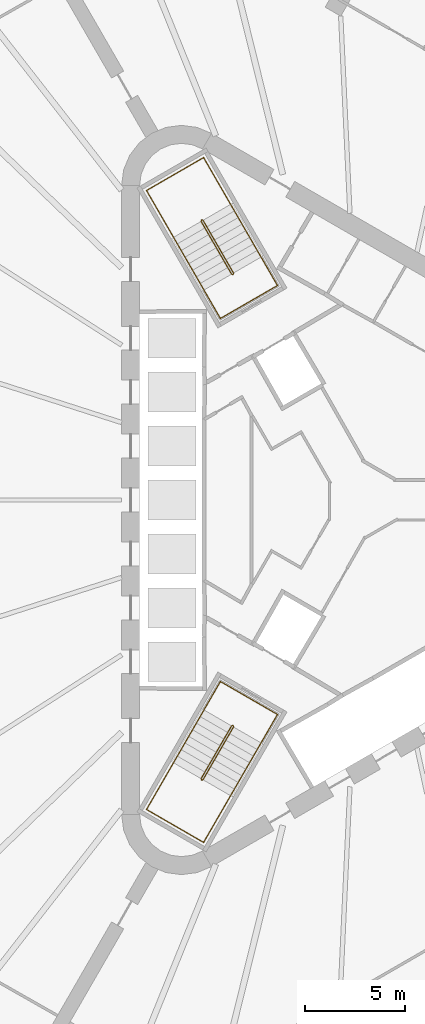
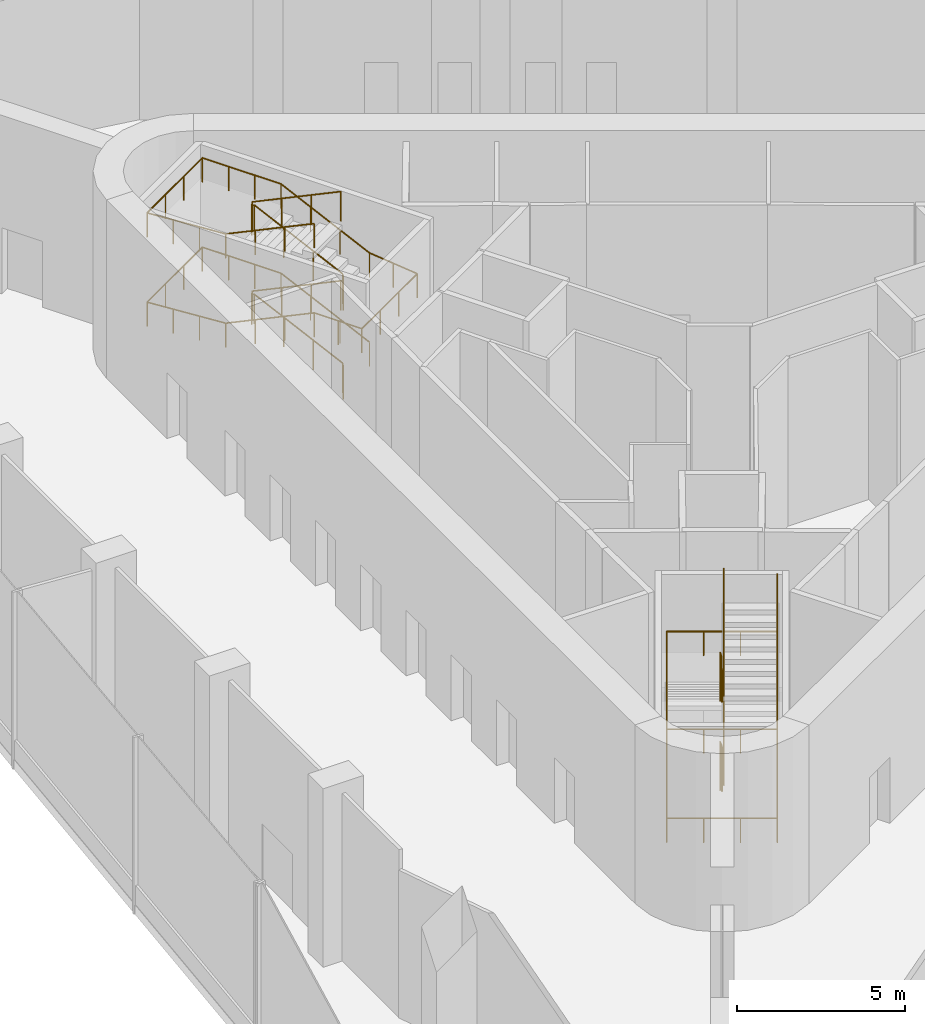
# One storey, part 13 of 15: 4 railings.
"""IFC4 building model written with IfcOpenShell, lengths in metres."""

import ifcopenshell
import ifcopenshell.guid

model = None  # the IFC model being written
_history = None  # IfcOwnerHistory: only IFC2X3 demands one
_inside = {}  # id of a spatial element -> (the spatial element, [elements in it])
_under = {}  # id of a project, library or spatial element -> (it, [spatial elements below it])
_declared = {}  # id of a project -> (the project, [libraries it declares])
_typed = {}  # id of a type object -> (the type object, [elements of that type])
_made_of = {}  # id of a material, layer set ... -> (it, [elements and type objects made of it])


def new_model(schema):
    """Start an empty IFC model of exactly this schema.

    Asked for "IFC4X3", IfcOpenShell would pick the latest addendum, in which some entities
    have other attributes; the version numbers below select the first issue.
    IFC2X3 requires an IfcOwnerHistory on every rooted entity: one is made here for all.
    """
    global model, _history
    if schema == "IFC4X3":
        model = ifcopenshell.file(schema_version=(4, 3, 0, 0))
    else:
        model = ifcopenshell.file(schema=schema)
    _inside.clear()
    _under.clear()
    _declared.clear()
    _typed.clear()
    _made_of.clear()
    _history = None
    if model.schema == "IFC2X3":
        org = make("IfcOrganization", Name="unknown")
        user = make(
            "IfcPersonAndOrganization",
            ThePerson=make("IfcPerson", FamilyName="unknown"),
            TheOrganization=org,
        )
        app = make(
            "IfcApplication",
            ApplicationDeveloper=org,
            Version="unknown",
            ApplicationFullName="unknown",
            ApplicationIdentifier="unknown",
        )
        _history = make(
            "IfcOwnerHistory",
            OwningUser=user,
            OwningApplication=app,
            ChangeAction="ADDED",
            CreationDate=0,
        )
    return model


def make(cls, **values):
    """One entity of the class cls with the attributes given. An attribute that is None is left unset."""
    return model.create_entity(
        cls, **{name: value for name, value in values.items() if value is not None}
    )


def rooted(cls, **values):
    """An entity with a GlobalId (a new one), such as an element, a storey or a relation."""
    return make(cls, GlobalId=ifcopenshell.guid.new(), OwnerHistory=_history, **values)


def si_unit(unit_type, name, prefix=None):
    """IfcSIUnit, for example si_unit("LENGTHUNIT", "METRE", prefix="MILLI")."""
    return make("IfcSIUnit", UnitType=unit_type, Prefix=prefix, Name=name)


def assignment(units):
    """IfcUnitAssignment: the units of a project."""
    return None if units is None else make("IfcUnitAssignment", Units=units)


def point(xyz):
    """IfcCartesianPoint."""
    return None if xyz is None else make("IfcCartesianPoint", Coordinates=xyz)


def direction(xyz):
    """IfcDirection."""
    return None if xyz is None else make("IfcDirection", DirectionRatios=xyz)


def frame(location, z_axis=None, x_axis=None):
    """IfcAxis2Placement3D, a coordinate frame: its origin and axes. An axis left out is left unset."""
    return make(
        "IfcAxis2Placement3D",
        Location=point(location),
        Axis=direction(z_axis),
        RefDirection=direction(x_axis),
    )


def frame_2d(location, x_axis=None):
    """IfcAxis2Placement2D, a coordinate frame in the plane: its origin and x axis."""
    return make(
        "IfcAxis2Placement2D", Location=point(location), RefDirection=direction(x_axis)
    )


def origin():
    """The frame at (0, 0, 0) with its axes left unset."""
    return frame((0.0, 0.0, 0.0))


def origin_2d():
    """The frame at (0, 0) in the plane with its x axis left unset."""
    return frame_2d((0.0, 0.0))


def place(relative_to, where):
    """IfcLocalPlacement: puts the frame where relative to a parent placement (None: the world)."""
    return make(
        "IfcLocalPlacement", PlacementRelTo=relative_to, RelativePlacement=where
    )


def context(
    kind, dimensions, precision=None, world=None, true_north=None, identifier=None
):
    """IfcGeometricRepresentationContext, for example the 3D "Model" context."""
    return make(
        "IfcGeometricRepresentationContext",
        ContextIdentifier=identifier,
        ContextType=kind,
        CoordinateSpaceDimension=dimensions,
        Precision=precision,
        WorldCoordinateSystem=world,
        TrueNorth=true_north,
    )


def subcontext(parent, identifier, kind, view, scale=None):
    """IfcGeometricRepresentationSubContext, for example "Body" below "Model"."""
    return make(
        "IfcGeometricRepresentationSubContext",
        ContextIdentifier=identifier,
        ContextType=kind,
        ParentContext=parent,
        TargetScale=scale,
        TargetView=view,
    )


def project(units=None, contexts=None):
    """IfcProject with its units and contexts."""
    return rooted(
        "IfcProject",
        Name="project",
        RepresentationContexts=contexts,
        UnitsInContext=assignment(units),
    )


def spatial(cls, under=None, at=None, **own):
    """A site, building, storey or space (cls), placed at a placement, below another one or the project."""
    s = rooted(cls, ObjectPlacement=at, **own)
    if under is not None:
        _under.setdefault(under.id(), (under, []))[1].append(s)
    return s


def profile(cls, at=None, kind="AREA", **sizes):
    """A parametric profile (cls). Its sizes go by their IFC names, for example OverallWidth=200.0."""
    return make(cls, ProfileType=kind, Position=at, **sizes)


def circle(**sizes):
    """IfcCircleProfileDef."""
    return profile("IfcCircleProfileDef", **sizes)


def extrude(swept, where, along, depth):
    """IfcExtrudedAreaSolid: the profile swept, set in the frame where, extruded along a direction by depth."""
    return make(
        "IfcExtrudedAreaSolid",
        SweptArea=swept,
        Position=where,
        ExtrudedDirection=direction(along),
        Depth=depth,
    )


def shape(context_of_items, identifier, shape_type, items):
    """IfcShapeRepresentation: the items that make up one representation, for example the "Body"."""
    return make(
        "IfcShapeRepresentation",
        ContextOfItems=context_of_items,
        RepresentationIdentifier=identifier,
        RepresentationType=shape_type,
        Items=items,
    )


def material(Name=None, Category=None):
    """IfcMaterial."""
    return make("IfcMaterial", Name=Name, Category=Category)


def made_of(thing, what):
    """Note that an element or type object is made of a material, layer set ...; save() writes the relation."""
    if what is not None:
        _made_of.setdefault(what.id(), (what, []))[1].append(thing)
    return thing


def type_object(cls, material=None, **own):
    """A type object (cls), such as IfcWallType, which elements share."""
    return made_of(rooted(cls, **own), material)


def element(
    cls,
    number,
    at=None,
    inside=None,
    cuts=None,
    type_object=None,
    material=None,
    context=None,
    identifier="Body",
    shape_type=None,
    held_by="IfcProductDefinitionShape",
    body=None,
    shapes=None,
    **own,
):
    """One element of the class cls, such as IfcWall. Its Tag is "e" and its number.

    at: its placement. inside: the storey or other place that contains it. cuts: it is an
    opening in that element (IfcRelVoidsElement). A single representation is given by context,
    identifier, shape_type and body (its items); several are given by shapes. held_by: the class
    of the entity that holds the representations. save() writes the other relations.
    """
    e = rooted(cls, Tag="e%d" % number, ObjectPlacement=at, **own)
    if body is not None:
        shapes = [shape(context, identifier, shape_type, body)]
    if shapes is not None:
        e.Representation = make(held_by, Representations=shapes)
    if inside is not None:
        _inside.setdefault(inside.id(), (inside, []))[1].append(e)
    if cuts is not None:
        rooted(
            "IfcRelVoidsElement", RelatingBuildingElement=cuts, RelatedOpeningElement=e
        )
    if type_object is not None:
        _typed.setdefault(type_object.id(), (type_object, []))[1].append(e)
    return made_of(e, material)


def aggregate(whole, parts):
    """IfcRelAggregates: a whole, such as a stair, and the parts it consists of."""
    return rooted("IfcRelAggregates", RelatingObject=whole, RelatedObjects=parts)


def save(model, path):
    """Write the relations noted so far, then the file.

    IfcRelAggregates (storeys below a building ...), IfcRelContainedInSpatialStructure (elements
    in a storey), IfcRelDefinesByType, IfcRelAssociatesMaterial and IfcRelDeclares: one each for
    every whole, place, type object, material and project.
    """
    for whole, parts in _under.values():
        aggregate(whole, parts)
    for where, things in _inside.values():
        rooted(
            "IfcRelContainedInSpatialStructure",
            RelatedElements=things,
            RelatingStructure=where,
        )
    for kind, things in _typed.values():
        rooted("IfcRelDefinesByType", RelatedObjects=things, RelatingType=kind)
    for what, things in _made_of.values():
        rooted("IfcRelAssociatesMaterial", RelatedObjects=things, RelatingMaterial=what)
    for by, libraries in _declared.values():
        rooted("IfcRelDeclares", RelatingContext=by, RelatedDefinitions=libraries)
    model.write(path)


model = new_model("IFC4")

# Units and contexts
model_context = context("Model", 3, precision=1e-05, world=origin(), true_north=direction((0.0, 1.0)))
body_context = subcontext(model_context, "Body", "Model", "MODEL_VIEW")
ifc_project = project(units=[si_unit("LENGTHUNIT", "METRE"), si_unit("AREAUNIT", "SQUARE_METRE"), si_unit("VOLUMEUNIT", "CUBIC_METRE"), si_unit("PLANEANGLEUNIT", "RADIAN"), si_unit("MASSUNIT", "GRAM", prefix="KILO")], contexts=[model_context])

# Site, building, storey
site_placement = place(None, origin())
site = spatial("IfcSite", under=ifc_project, at=site_placement, CompositionType="ELEMENT")
building_placement = place(site_placement, origin())
building = spatial("IfcBuilding", under=site, at=building_placement, Name="Tanit Gate Tower", CompositionType="ELEMENT")
storey_placement = place(building_placement, frame((0.0, 0.0, 277.199951171875)))
storey = spatial("IfcBuildingStorey", under=building, at=storey_placement, Name="L63", CompositionType="ELEMENT", Elevation=277.199951171875)

# Railings
ifc_material_1 = material(Name="Stainless steel balustrade", Category="steel")
railing_type_1 = type_object("IfcRailingType", Name="INT-STAIR-GUARD", PredefinedType="GUARDRAIL", material=ifc_material_1)
railing_1_placement = place(storey_placement, frame((-6.527099609375, 11.29345703125, 0.0)))
element("IfcRailing", 1, at=railing_1_placement, inside=storey, type_object=railing_type_1, Name="L63 S2 stair guard 1", PredefinedType="GUARDRAIL", context=body_context, shape_type="SweptSolid", body=[
    extrude(circle(Radius=0.02392578125, at=origin_2d()), frame((0.0, 0.0, 1.076171875), z_axis=(0.868243142124, 0.496138938357, 0.0), x_axis=(-0.496138938357, 0.868243142124, 0.0)), (0.0, 0.0, 1.0), 0.01171875),
    extrude(circle(Radius=0.02392578125, at=origin_2d()), frame((0.01025390625, 0.005859375, 1.076171875), z_axis=(0.094369489949, 0.352312762477, 0.931112300833), x_axis=(-0.965948051503, 0.258736085224, 0.0)), (0.0, 0.0, 1.0), 0.194091796875),
    extrude(circle(Radius=0.02392578125, at=origin_2d()), frame((0.028564453125, 0.07421875, 1.2568359375), z_axis=(-0.451890160261, 0.782649155065, 0.42808361699), x_axis=(-0.866012246495, -0.500022788402, 0.0)), (0.0, 0.0, 1.0), 3.3740234375),
    extrude(circle(Radius=0.02392578125, at=origin_2d()), frame((-1.49609375, 2.71484375, 2.701171875), z_axis=(-0.965715946433, 0.259601060869, 0.0), x_axis=(-0.259601060869, -0.965715946433, 0.0)), (0.0, 0.0, 1.0), 0.070556640625),
    extrude(circle(Radius=0.02392578125, at=origin_2d()), frame((-1.564208984375, 2.733154296875, 2.701171875), z_axis=(-0.873197702015, -0.487366159264, 0.0), x_axis=(0.487366159264, -0.873197702015, 0.0)), (0.0, 0.0, 1.0), 0.011962890625),
    extrude(circle(Radius=0.02392578125, at=origin_2d()), frame((-1.57470703125, 2.727294921875, 2.701171875), z_axis=(-0.094369489949, -0.352312762477, 0.931112300833), x_axis=(0.965948051503, -0.258736085224, 0.0)), (0.0, 0.0, 1.0), 0.194091796875),
    extrude(circle(Radius=0.02392578125, at=origin_2d()), frame((-1.593017578125, 2.658935546875, 2.8818359375), z_axis=(0.451890160261, -0.782649155065, 0.42808361699), x_axis=(0.866012246495, 0.500022788402, 0.0)), (0.0, 0.0, 1.0), 3.3740234375),
    extrude(circle(Radius=0.02392578125, at=origin_2d()), frame((-0.068359375, 0.018310546875, 4.326171875), z_axis=(0.965948051503, -0.258736085224, 0.0), x_axis=(0.258736085224, 0.965948051503, 0.0)), (0.0, 0.0, 1.0), 0.07080078125),
    extrude(circle(Radius=0.02392578125, at=origin_2d()), frame((0.0, 0.0, 4.326171875), z_axis=(0.868243142124, 0.496138938357, 0.0), x_axis=(-0.496138938357, 0.868243142124, 0.0)), (0.0, 0.0, 1.0), 0.01171875),
    extrude(circle(Radius=0.02392578125, at=origin_2d()), frame((0.01025390625, 0.005859375, 4.326171875), z_axis=(0.094369489949, 0.352312762477, 0.931112300833), x_axis=(-0.965948051503, 0.258736085224, 0.0)), (0.0, 0.0, 1.0), 0.194091796875),
    extrude(circle(Radius=0.02392578125, at=origin_2d()), frame((0.028564453125, 0.07421875, 4.5068359375), z_axis=(-0.451890160261, 0.782649155065, 0.42808361699), x_axis=(-0.866012246495, -0.500022788402, 0.0)), (0.0, 0.0, 1.0), 3.3740234375),
    extrude(circle(Radius=0.02392578125, at=origin_2d()), frame((-1.49609375, 2.71484375, 5.951171875), z_axis=(-0.965715946433, 0.259601060869, 0.0), x_axis=(-0.259601060869, -0.965715946433, 0.0)), (0.0, 0.0, 1.0), 0.070556640625),
    extrude(circle(Radius=0.02392578125, at=origin_2d()), frame((-1.564208984375, 2.733154296875, 5.951171875), z_axis=(-0.873197702015, -0.487366159264, 0.0), x_axis=(0.487366159264, -0.873197702015, 0.0)), (0.0, 0.0, 1.0), 0.011962890625),
    extrude(circle(Radius=0.02392578125, at=origin_2d()), frame((-1.57470703125, 2.727294921875, 5.951171875), z_axis=(-0.094369489949, -0.352312762477, 0.931112300833), x_axis=(0.965948051503, -0.258736085224, 0.0)), (0.0, 0.0, 1.0), 0.194091796875),
    extrude(circle(Radius=0.02392578125, at=origin_2d()), frame((-1.593017578125, 2.658935546875, 6.1318359375), z_axis=(0.451890160261, -0.782649155065, 0.42808361699), x_axis=(0.866012246495, 0.500022788402, 0.0)), (0.0, 0.0, 1.0), 3.3740234375),
    extrude(circle(Radius=0.02099609375, at=origin_2d()), origin(), (0.0, 0.0, 1.0), 1.052001953125),
    extrude(circle(Radius=0.02099609375, at=origin_2d()), frame((0.01025390625, 0.005859375, 0.0)), (0.0, 0.0, 1.0), 1.052001953125),
    extrude(circle(Radius=0.02099609375, at=origin_2d()), frame((0.028564453125, 0.07421875, 0.1806640625)), (0.0, 0.0, 1.0), 1.052001953125),
    extrude(circle(Radius=0.02099609375, at=origin_2d()), frame((-0.479736328125, 0.954345703125, 0.662109375)), (0.0, 0.0, 1.0), 1.052001953125),
    extrude(circle(Radius=0.02099609375, at=origin_2d()), frame((-0.98779296875, 1.834716796875, 1.1435546875)), (0.0, 0.0, 1.0), 1.052001953125),
    extrude(circle(Radius=0.02099609375, at=origin_2d()), frame((-1.49609375, 2.71484375, 1.625)), (0.0, 0.0, 1.0), 1.052001953125),
    extrude(circle(Radius=0.02099609375, at=origin_2d()), frame((-1.564208984375, 2.733154296875, 1.625)), (0.0, 0.0, 1.0), 1.052001953125),
    extrude(circle(Radius=0.02099609375, at=origin_2d()), frame((-1.57470703125, 2.727294921875, 1.625)), (0.0, 0.0, 1.0), 1.052001953125),
    extrude(circle(Radius=0.02099609375, at=origin_2d()), frame((-1.593017578125, 2.658935546875, 1.8056640625)), (0.0, 0.0, 1.0), 1.052001953125),
    extrude(circle(Radius=0.02099609375, at=origin_2d()), frame((-1.084716796875, 1.77880859375, 2.287109375)), (0.0, 0.0, 1.0), 1.052001953125),
    extrude(circle(Radius=0.02099609375, at=origin_2d()), frame((-0.57666015625, 0.8984375, 2.7685546875)), (0.0, 0.0, 1.0), 1.052001953125),
    extrude(circle(Radius=0.02099609375, at=origin_2d()), frame((-0.068359375, 0.018310546875, 3.25)), (0.0, 0.0, 1.0), 1.052001953125),
    extrude(circle(Radius=0.02099609375, at=origin_2d()), frame((0.0, 0.0, 3.25)), (0.0, 0.0, 1.0), 1.052001953125),
    extrude(circle(Radius=0.02099609375, at=origin_2d()), frame((0.01025390625, 0.005859375, 3.25)), (0.0, 0.0, 1.0), 1.052001953125),
    extrude(circle(Radius=0.02099609375, at=origin_2d()), frame((0.028564453125, 0.07421875, 3.4306640625)), (0.0, 0.0, 1.0), 1.052001953125),
    extrude(circle(Radius=0.02099609375, at=origin_2d()), frame((-0.479736328125, 0.954345703125, 3.912109375)), (0.0, 0.0, 1.0), 1.052001953125),
    extrude(circle(Radius=0.02099609375, at=origin_2d()), frame((-0.98779296875, 1.834716796875, 4.3935546875)), (0.0, 0.0, 1.0), 1.052001953125),
    extrude(circle(Radius=0.02099609375, at=origin_2d()), frame((-1.49609375, 2.71484375, 4.875)), (0.0, 0.0, 1.0), 1.052001953125),
    extrude(circle(Radius=0.02099609375, at=origin_2d()), frame((-1.564208984375, 2.733154296875, 4.875)), (0.0, 0.0, 1.0), 1.052001953125),
    extrude(circle(Radius=0.02099609375, at=origin_2d()), frame((-1.57470703125, 2.727294921875, 4.875)), (0.0, 0.0, 1.0), 1.052001953125),
    extrude(circle(Radius=0.02099609375, at=origin_2d()), frame((-1.593017578125, 2.658935546875, 5.0556640625)), (0.0, 0.0, 1.0), 1.052001953125),
    extrude(circle(Radius=0.02099609375, at=origin_2d()), frame((-1.084716796875, 1.77880859375, 5.537109375)), (0.0, 0.0, 1.0), 1.052001953125),
    extrude(circle(Radius=0.02099609375, at=origin_2d()), frame((-0.57666015625, 0.8984375, 6.0185546875)), (0.0, 0.0, 1.0), 1.052001953125),
    extrude(circle(Radius=0.02099609375, at=origin_2d()), frame((-0.068359375, 0.018310546875, 6.5)), (0.0, 0.0, 1.0), 1.052001953125),
])
railing_2_placement = place(storey_placement, frame((-6.51806640625, -11.2998046875, 0.0)))
element("IfcRailing", 2, at=railing_2_placement, inside=storey, type_object=railing_type_1, Name="L63 S3 stair guard 1", PredefinedType="GUARDRAIL", context=body_context, shape_type="SweptSolid", body=[
    extrude(circle(Radius=0.02392578125, at=origin_2d()), frame((0.0, 0.0, 1.076171875), z_axis=(-0.874157276122, 0.485642931179, 0.0), x_axis=(-0.485642931179, -0.874157276122, 0.0)), (0.0, 0.0, 1.0), 0.010009765625),
    extrude(circle(Radius=0.02392578125, at=origin_2d()), frame((-0.0087890625, 0.0048828125, 1.076171875), z_axis=(-0.352354325027, -0.093122214471, 0.931222144714), x_axis=(0.255512919477, -0.966805641264, 0.0)), (0.0, 0.0, 1.0), 0.194091796875),
    extrude(circle(Radius=0.02392578125, at=origin_2d()), frame((-0.0771484375, -0.01318359375, 1.2568359375), z_axis=(-0.451883759621, -0.782768554797, 0.42787201055), x_axis=(0.866048339477, -0.499960272111, 0.0)), (0.0, 0.0, 1.0), 3.375732421875),
    extrude(circle(Radius=0.02392578125, at=origin_2d()), frame((-1.6025390625, -2.655517578125, 2.701171875), z_axis=(0.258736085224, -0.965948051503, 0.0), x_axis=(0.965948051503, 0.258736085224, 0.0)), (0.0, 0.0, 1.0), 0.07080078125),
    extrude(circle(Radius=0.02392578125, at=origin_2d()), frame((-1.584228515625, -2.723876953125, 2.701171875), z_axis=(0.868243142124, -0.496138938357, 0.0), x_axis=(0.496138938357, 0.868243142124, 0.0)), (0.0, 0.0, 1.0), 0.009765625),
    extrude(circle(Radius=0.02392578125, at=origin_2d()), frame((-1.57568359375, -2.728759765625, 2.701171875), z_axis=(0.352312762477, 0.094369489949, 0.931112300833), x_axis=(-0.258736085224, 0.965948051503, 0.0)), (0.0, 0.0, 1.0), 0.194091796875),
    extrude(circle(Radius=0.02392578125, at=origin_2d()), frame((-1.50732421875, -2.71044921875, 2.8818359375), z_axis=(0.451966897993, 0.782714957606, 0.427882248124), x_axis=(-0.865993683553, 0.500054937028, 0.0)), (0.0, 0.0, 1.0), 3.37548828125),
    extrude(circle(Radius=0.02392578125, at=origin_2d()), frame((0.018310546875, -0.068359375, 4.326171875), z_axis=(-0.258736085224, 0.965948051503, 0.0), x_axis=(-0.965948051503, -0.258736085224, 0.0)), (0.0, 0.0, 1.0), 0.07080078125),
    extrude(circle(Radius=0.02392578125, at=origin_2d()), frame((0.0, 0.0, 4.326171875), z_axis=(-0.874157276122, 0.485642931179, 0.0), x_axis=(-0.485642931179, -0.874157276122, 0.0)), (0.0, 0.0, 1.0), 0.010009765625),
    extrude(circle(Radius=0.02392578125, at=origin_2d()), frame((-0.0087890625, 0.0048828125, 4.326171875), z_axis=(-0.352354325027, -0.093122214471, 0.931222144714), x_axis=(0.255512919477, -0.966805641264, 0.0)), (0.0, 0.0, 1.0), 0.194091796875),
    extrude(circle(Radius=0.02392578125, at=origin_2d()), frame((-0.0771484375, -0.01318359375, 4.5068359375), z_axis=(-0.451883759621, -0.782768554797, 0.42787201055), x_axis=(0.866048339477, -0.499960272111, 0.0)), (0.0, 0.0, 1.0), 3.375732421875),
    extrude(circle(Radius=0.02392578125, at=origin_2d()), frame((-1.6025390625, -2.655517578125, 5.951171875), z_axis=(0.258736085224, -0.965948051503, 0.0), x_axis=(0.965948051503, 0.258736085224, 0.0)), (0.0, 0.0, 1.0), 0.07080078125),
    extrude(circle(Radius=0.02392578125, at=origin_2d()), frame((-1.584228515625, -2.723876953125, 5.951171875), z_axis=(0.868243142124, -0.496138938357, 0.0), x_axis=(0.496138938357, 0.868243142124, 0.0)), (0.0, 0.0, 1.0), 0.009765625),
    extrude(circle(Radius=0.02392578125, at=origin_2d()), frame((-1.57568359375, -2.728759765625, 5.951171875), z_axis=(0.352312762477, 0.094369489949, 0.931112300833), x_axis=(-0.258736085224, 0.965948051503, 0.0)), (0.0, 0.0, 1.0), 0.194091796875),
    extrude(circle(Radius=0.02392578125, at=origin_2d()), frame((-1.50732421875, -2.71044921875, 6.1318359375), z_axis=(0.451966897993, 0.782714957606, 0.427882248124), x_axis=(-0.865993683553, 0.500054937028, 0.0)), (0.0, 0.0, 1.0), 3.37548828125),
    extrude(circle(Radius=0.02099609375, at=origin_2d()), origin(), (0.0, 0.0, 1.0), 1.052001953125),
    extrude(circle(Radius=0.02099609375, at=origin_2d()), frame((-0.0087890625, 0.0048828125, 0.0)), (0.0, 0.0, 1.0), 1.052001953125),
    extrude(circle(Radius=0.02099609375, at=origin_2d()), frame((-0.0771484375, -0.01318359375, 0.1806640625)), (0.0, 0.0, 1.0), 1.052001953125),
    extrude(circle(Radius=0.02099609375, at=origin_2d()), frame((-0.585693359375, -0.89404296875, 0.662109375)), (0.0, 0.0, 1.0), 1.052001953125),
    extrude(circle(Radius=0.02099609375, at=origin_2d()), frame((-1.093994140625, -1.774658203125, 1.1435546875)), (0.0, 0.0, 1.0), 1.052001953125),
    extrude(circle(Radius=0.02099609375, at=origin_2d()), frame((-1.6025390625, -2.655517578125, 1.625)), (0.0, 0.0, 1.0), 1.052001953125),
    extrude(circle(Radius=0.02099609375, at=origin_2d()), frame((-1.584228515625, -2.723876953125, 1.625)), (0.0, 0.0, 1.0), 1.052001953125),
    extrude(circle(Radius=0.02099609375, at=origin_2d()), frame((-1.57568359375, -2.728759765625, 1.625)), (0.0, 0.0, 1.0), 1.052001953125),
    extrude(circle(Radius=0.02099609375, at=origin_2d()), frame((-1.50732421875, -2.71044921875, 1.8056640625)), (0.0, 0.0, 1.0), 1.052001953125),
    extrude(circle(Radius=0.02099609375, at=origin_2d()), frame((-0.998779296875, -1.829833984375, 2.287109375)), (0.0, 0.0, 1.0), 1.052001953125),
    extrude(circle(Radius=0.02099609375, at=origin_2d()), frame((-0.490234375, -0.948974609375, 2.7685546875)), (0.0, 0.0, 1.0), 1.052001953125),
    extrude(circle(Radius=0.02099609375, at=origin_2d()), frame((0.018310546875, -0.068359375, 3.25)), (0.0, 0.0, 1.0), 1.052001953125),
    extrude(circle(Radius=0.02099609375, at=origin_2d()), frame((0.0, 0.0, 3.25)), (0.0, 0.0, 1.0), 1.052001953125),
    extrude(circle(Radius=0.02099609375, at=origin_2d()), frame((-0.0087890625, 0.0048828125, 3.25)), (0.0, 0.0, 1.0), 1.052001953125),
    extrude(circle(Radius=0.02099609375, at=origin_2d()), frame((-0.0771484375, -0.01318359375, 3.4306640625)), (0.0, 0.0, 1.0), 1.052001953125),
    extrude(circle(Radius=0.02099609375, at=origin_2d()), frame((-0.585693359375, -0.89404296875, 3.912109375)), (0.0, 0.0, 1.0), 1.052001953125),
    extrude(circle(Radius=0.02099609375, at=origin_2d()), frame((-1.093994140625, -1.774658203125, 4.3935546875)), (0.0, 0.0, 1.0), 1.052001953125),
    extrude(circle(Radius=0.02099609375, at=origin_2d()), frame((-1.6025390625, -2.655517578125, 4.875)), (0.0, 0.0, 1.0), 1.052001953125),
    extrude(circle(Radius=0.02099609375, at=origin_2d()), frame((-1.584228515625, -2.723876953125, 4.875)), (0.0, 0.0, 1.0), 1.052001953125),
    extrude(circle(Radius=0.02099609375, at=origin_2d()), frame((-1.57568359375, -2.728759765625, 4.875)), (0.0, 0.0, 1.0), 1.052001953125),
    extrude(circle(Radius=0.02099609375, at=origin_2d()), frame((-1.50732421875, -2.71044921875, 5.0556640625)), (0.0, 0.0, 1.0), 1.052001953125),
    extrude(circle(Radius=0.02099609375, at=origin_2d()), frame((-0.998779296875, -1.829833984375, 5.537109375)), (0.0, 0.0, 1.0), 1.052001953125),
    extrude(circle(Radius=0.02099609375, at=origin_2d()), frame((-0.490234375, -0.948974609375, 6.0185546875)), (0.0, 0.0, 1.0), 1.052001953125),
    extrude(circle(Radius=0.02099609375, at=origin_2d()), frame((0.018310546875, -0.068359375, 6.5)), (0.0, 0.0, 1.0), 1.052001953125),
])
ifc_material_2 = material(Name="Stainless steel handrail", Category="steel")
railing_type_2 = type_object("IfcRailingType", Name="INT-STAIR-HANDRAIL", PredefinedType="HANDRAIL", material=ifc_material_2)
railing_3_placement = place(storey_placement, frame((-5.1181640625, 12.164794921875, 0.1806640625)))
element("IfcRailing", 3, at=railing_3_placement, inside=storey, type_object=railing_type_2, Name="L63 S2 stair handrail 1", PredefinedType="HANDRAIL", context=body_context, shape_type="SweptSolid", body=[
    extrude(circle(Radius=0.02392578125, at=origin_2d()), frame((0.0, 0.0, 0.8759765625), z_axis=(-0.45183257344, 0.782674746048, 0.428097614425), x_axis=(-0.866046917185, -0.499962735845, 0.0)), (0.0, 0.0, 1.0), 3.373779296875),
    extrude(circle(Radius=0.02392578125, at=origin_2d()), frame((-1.5244140625, 2.640625, 2.3203125), z_axis=(-0.500019123664, 0.86601436245, 0.0), x_axis=(-0.86601436245, -0.500019123664, 0.0)), (0.0, 0.0, 1.0), 2.70703125),
    extrude(circle(Radius=0.02392578125, at=origin_2d()), frame((-2.8779296875, 4.98486328125, 2.3203125), z_axis=(-0.866008176907, -0.50002983664, 0.0), x_axis=(0.50002983664, -0.866008176907, 0.0)), (0.0, 0.0, 1.0), 3.300048828125),
    extrude(circle(Radius=0.02392578125, at=origin_2d()), frame((-5.73583984375, 3.334716796875, 2.3203125), z_axis=(0.498947983057, -0.864069189274, 0.066598396007), x_axis=(0.865991810323, 0.500058181068, 0.0)), (0.0, 0.0, 1.0), 2.712646484375),
    extrude(circle(Radius=0.02392578125, at=origin_2d()), frame((-4.38232421875, 0.99072265625, 2.5009765625), z_axis=(0.451864569475, -0.782677189432, 0.428059374381), x_axis=(0.866032263162, 0.499988119021, 0.0)), (0.0, 0.0, 1.0), 3.374267578125),
    extrude(circle(Radius=0.02392578125, at=origin_2d()), frame((-2.857666015625, -1.650146484375, 3.9453125), z_axis=(0.499941024108, -0.866059450854, 0.0), x_axis=(0.866059450854, 0.499941024108, 0.0)), (0.0, 0.0, 1.0), 1.643798828125),
    extrude(circle(Radius=0.02392578125, at=origin_2d()), frame((-2.035888671875, -3.07373046875, 3.9453125), z_axis=(0.866040211805, 0.499974350878, 0.0), x_axis=(-0.499974350878, 0.866040211805, 0.0)), (0.0, 0.0, 1.0), 3.300048828125),
    extrude(circle(Radius=0.02392578125, at=origin_2d()), frame((0.822021484375, -1.423828125, 3.9453125), z_axis=(-0.496996431912, 0.860850368552, 0.109229985036), x_axis=(-0.866032269107, -0.499988108725, 0.0)), (0.0, 0.0, 1.0), 1.654052734375),
    extrude(circle(Radius=0.02392578125, at=origin_2d()), frame((0.0, 0.0, 4.1259765625), z_axis=(-0.45183257344, 0.782674746048, 0.428097614425), x_axis=(-0.866046917185, -0.499962735845, 0.0)), (0.0, 0.0, 1.0), 3.373779296875),
    extrude(circle(Radius=0.02392578125, at=origin_2d()), frame((-1.5244140625, 2.640625, 5.5703125), z_axis=(-0.500019123664, 0.86601436245, 0.0), x_axis=(-0.86601436245, -0.500019123664, 0.0)), (0.0, 0.0, 1.0), 2.70703125),
    extrude(circle(Radius=0.02392578125, at=origin_2d()), frame((-2.8779296875, 4.98486328125, 5.5703125), z_axis=(-0.866008176907, -0.50002983664, 0.0), x_axis=(0.50002983664, -0.866008176907, 0.0)), (0.0, 0.0, 1.0), 3.300048828125),
    extrude(circle(Radius=0.02392578125, at=origin_2d()), frame((-5.73583984375, 3.334716796875, 5.5703125), z_axis=(0.498947983057, -0.864069189274, 0.066598396007), x_axis=(0.865991810323, 0.500058181068, 0.0)), (0.0, 0.0, 1.0), 2.712646484375),
    extrude(circle(Radius=0.02392578125, at=origin_2d()), frame((-4.38232421875, 0.99072265625, 5.7509765625), z_axis=(0.451864569475, -0.782677189432, 0.428059374381), x_axis=(0.866032263162, 0.499988119021, 0.0)), (0.0, 0.0, 1.0), 3.374267578125),
    extrude(circle(Radius=0.02099609375, at=origin_2d()), origin(), (0.0, 0.0, 1.0), 0.851806640625),
    extrude(circle(Radius=0.02099609375, at=origin_2d()), frame((-0.508056640625, 0.880126953125, 0.4814453125)), (0.0, 0.0, 1.0), 0.851806640625),
    extrude(circle(Radius=0.02099609375, at=origin_2d()), frame((-1.016357421875, 1.760498046875, 0.962890625)), (0.0, 0.0, 1.0), 0.851806640625),
    extrude(circle(Radius=0.02099609375, at=origin_2d()), frame((-1.5244140625, 2.640625, 1.4443359375)), (0.0, 0.0, 1.0), 0.851806640625),
    extrude(circle(Radius=0.02099609375, at=origin_2d()), frame((-1.9755859375, 3.422119140625, 1.4443359375)), (0.0, 0.0, 1.0), 0.851806640625),
    extrude(circle(Radius=0.02099609375, at=origin_2d()), frame((-2.4267578125, 4.203369140625, 1.4443359375)), (0.0, 0.0, 1.0), 0.851806640625),
    extrude(circle(Radius=0.02099609375, at=origin_2d()), frame((-2.8779296875, 4.98486328125, 1.4443359375)), (0.0, 0.0, 1.0), 0.851806640625),
    extrude(circle(Radius=0.02099609375, at=origin_2d()), frame((-3.83056640625, 4.434814453125, 1.4443359375)), (0.0, 0.0, 1.0), 0.851806640625),
    extrude(circle(Radius=0.02099609375, at=origin_2d()), frame((-4.783203125, 3.884765625, 1.4443359375)), (0.0, 0.0, 1.0), 0.851806640625),
    extrude(circle(Radius=0.02099609375, at=origin_2d()), frame((-5.73583984375, 3.334716796875, 1.4443359375)), (0.0, 0.0, 1.0), 0.851806640625),
    extrude(circle(Radius=0.02099609375, at=origin_2d()), frame((-5.28466796875, 2.553466796875, 1.504638671875)), (0.0, 0.0, 1.0), 0.851806640625),
    extrude(circle(Radius=0.02099609375, at=origin_2d()), frame((-4.83349609375, 1.77197265625, 1.564697265625)), (0.0, 0.0, 1.0), 0.851806640625),
    extrude(circle(Radius=0.02099609375, at=origin_2d()), frame((-4.38232421875, 0.99072265625, 1.625)), (0.0, 0.0, 1.0), 0.851806640625),
    extrude(circle(Radius=0.02099609375, at=origin_2d()), frame((-3.8740234375, 0.1103515625, 2.1064453125)), (0.0, 0.0, 1.0), 0.851806640625),
    extrude(circle(Radius=0.02099609375, at=origin_2d()), frame((-3.365966796875, -0.769775390625, 2.587890625)), (0.0, 0.0, 1.0), 0.851806640625),
    extrude(circle(Radius=0.02099609375, at=origin_2d()), frame((-2.857666015625, -1.650146484375, 3.0693359375)), (0.0, 0.0, 1.0), 0.851806640625),
    extrude(circle(Radius=0.02099609375, at=origin_2d()), frame((-2.44677734375, -2.36181640625, 3.0693359375)), (0.0, 0.0, 1.0), 0.851806640625),
    extrude(circle(Radius=0.02099609375, at=origin_2d()), frame((-2.035888671875, -3.07373046875, 3.0693359375)), (0.0, 0.0, 1.0), 0.851806640625),
    extrude(circle(Radius=0.02099609375, at=origin_2d()), frame((-1.083251953125, -2.523681640625, 3.0693359375)), (0.0, 0.0, 1.0), 0.851806640625),
    extrude(circle(Radius=0.02099609375, at=origin_2d()), frame((-0.130615234375, -1.973876953125, 3.0693359375)), (0.0, 0.0, 1.0), 0.851806640625),
    extrude(circle(Radius=0.02099609375, at=origin_2d()), frame((0.822021484375, -1.423828125, 3.0693359375)), (0.0, 0.0, 1.0), 0.851806640625),
    extrude(circle(Radius=0.02099609375, at=origin_2d()), frame((0.4111328125, -0.7119140625, 3.15966796875)), (0.0, 0.0, 1.0), 0.851806640625),
    extrude(circle(Radius=0.02099609375, at=origin_2d()), frame((0.0, 0.0, 3.25)), (0.0, 0.0, 1.0), 0.851806640625),
    extrude(circle(Radius=0.02099609375, at=origin_2d()), frame((-0.508056640625, 0.880126953125, 3.7314453125)), (0.0, 0.0, 1.0), 0.851806640625),
    extrude(circle(Radius=0.02099609375, at=origin_2d()), frame((-1.016357421875, 1.760498046875, 4.212890625)), (0.0, 0.0, 1.0), 0.851806640625),
    extrude(circle(Radius=0.02099609375, at=origin_2d()), frame((-1.5244140625, 2.640625, 4.6943359375)), (0.0, 0.0, 1.0), 0.851806640625),
    extrude(circle(Radius=0.02099609375, at=origin_2d()), frame((-1.9755859375, 3.422119140625, 4.6943359375)), (0.0, 0.0, 1.0), 0.851806640625),
    extrude(circle(Radius=0.02099609375, at=origin_2d()), frame((-2.4267578125, 4.203369140625, 4.6943359375)), (0.0, 0.0, 1.0), 0.851806640625),
    extrude(circle(Radius=0.02099609375, at=origin_2d()), frame((-2.8779296875, 4.98486328125, 4.6943359375)), (0.0, 0.0, 1.0), 0.851806640625),
    extrude(circle(Radius=0.02099609375, at=origin_2d()), frame((-3.83056640625, 4.434814453125, 4.6943359375)), (0.0, 0.0, 1.0), 0.851806640625),
    extrude(circle(Radius=0.02099609375, at=origin_2d()), frame((-4.783203125, 3.884765625, 4.6943359375)), (0.0, 0.0, 1.0), 0.851806640625),
    extrude(circle(Radius=0.02099609375, at=origin_2d()), frame((-5.73583984375, 3.334716796875, 4.6943359375)), (0.0, 0.0, 1.0), 0.851806640625),
    extrude(circle(Radius=0.02099609375, at=origin_2d()), frame((-5.28466796875, 2.553466796875, 4.754638671875)), (0.0, 0.0, 1.0), 0.851806640625),
    extrude(circle(Radius=0.02099609375, at=origin_2d()), frame((-4.83349609375, 1.77197265625, 4.814697265625)), (0.0, 0.0, 1.0), 0.851806640625),
    extrude(circle(Radius=0.02099609375, at=origin_2d()), frame((-4.38232421875, 0.99072265625, 4.875)), (0.0, 0.0, 1.0), 0.851806640625),
    extrude(circle(Radius=0.02099609375, at=origin_2d()), frame((-3.8740234375, 0.1103515625, 5.3564453125)), (0.0, 0.0, 1.0), 0.851806640625),
    extrude(circle(Radius=0.02099609375, at=origin_2d()), frame((-3.365966796875, -0.769775390625, 5.837890625)), (0.0, 0.0, 1.0), 0.851806640625),
    extrude(circle(Radius=0.02099609375, at=origin_2d()), frame((-2.857666015625, -1.650146484375, 6.3193359375)), (0.0, 0.0, 1.0), 0.851806640625),
])
railing_4_placement = place(storey_placement, frame((-7.9765625, -10.515625, 0.1806640625)))
element("IfcRailing", 4, at=railing_4_placement, inside=storey, type_object=railing_type_2, Name="L63 S3 stair handrail 1", PredefinedType="HANDRAIL", context=body_context, shape_type="SweptSolid", body=[
    extrude(circle(Radius=0.02392578125, at=origin_2d()), frame((0.0, 0.0, 0.8759765625), z_axis=(-0.451883759621, -0.782768554797, 0.42787201055), x_axis=(0.866048339477, -0.499960272111, 0.0)), (0.0, 0.0, 1.0), 3.375732421875),
    extrude(circle(Radius=0.02392578125, at=origin_2d()), frame((-1.525390625, -2.642333984375, 2.3203125), z_axis=(-0.50004290449, -0.866000631449, 0.0), x_axis=(0.866000631449, -0.50004290449, 0.0)), (0.0, 0.0, 1.0), 2.703857421875),
    extrude(circle(Radius=0.02392578125, at=origin_2d()), frame((-2.87744140625, -4.98388671875, 2.3203125), z_axis=(0.866008176907, -0.50002983664, 0.0), x_axis=(0.50002983664, 0.866008176907, 0.0)), (0.0, 0.0, 1.0), 3.300048828125),
    extrude(circle(Radius=0.02392578125, at=origin_2d()), frame((-0.01953125, -6.634033203125, 2.3203125), z_axis=(0.49889157194, 0.864096778267, 0.066663012502), x_axis=(-0.866023205937, 0.500003806764, 0.0)), (0.0, 0.0, 1.0), 2.710205078125),
    extrude(circle(Radius=0.02392578125, at=origin_2d()), frame((1.33251953125, -4.292236328125, 2.5009765625), z_axis=(0.451883759621, 0.782768554797, 0.42787201055), x_axis=(-0.866048339477, 0.499960272111, 0.0)), (0.0, 0.0, 1.0), 3.375732421875),
    extrude(circle(Radius=0.02392578125, at=origin_2d()), frame((2.85791015625, -1.64990234375, 3.9453125), z_axis=(0.50001794124, 0.866015045157, 0.0), x_axis=(-0.866015045157, 0.50001794124, 0.0)), (0.0, 0.0, 1.0), 1.64501953125),
    extrude(circle(Radius=0.02392578125, at=origin_2d()), frame((3.680419921875, -0.225341796875, 3.9453125), z_axis=(-0.866040211805, 0.499974350878, 0.0), x_axis=(-0.499974350878, -0.866040211805, 0.0)), (0.0, 0.0, 1.0), 3.300048828125),
    extrude(circle(Radius=0.02392578125, at=origin_2d()), frame((0.822509765625, 1.424560546875, 3.9453125), z_axis=(-0.49702925189, -0.860838731012, 0.109172349777), x_axis=(0.866015045157, -0.50001794124, 0.0)), (0.0, 0.0, 1.0), 1.65478515625),
    extrude(circle(Radius=0.02392578125, at=origin_2d()), frame((0.0, 0.0, 4.1259765625), z_axis=(-0.451883759621, -0.782768554797, 0.42787201055), x_axis=(0.866048339477, -0.499960272111, 0.0)), (0.0, 0.0, 1.0), 3.375732421875),
    extrude(circle(Radius=0.02392578125, at=origin_2d()), frame((-1.525390625, -2.642333984375, 5.5703125), z_axis=(-0.50004290449, -0.866000631449, 0.0), x_axis=(0.866000631449, -0.50004290449, 0.0)), (0.0, 0.0, 1.0), 2.703857421875),
    extrude(circle(Radius=0.02392578125, at=origin_2d()), frame((-2.87744140625, -4.98388671875, 5.5703125), z_axis=(0.866008176907, -0.50002983664, 0.0), x_axis=(0.50002983664, 0.866008176907, 0.0)), (0.0, 0.0, 1.0), 3.300048828125),
    extrude(circle(Radius=0.02392578125, at=origin_2d()), frame((-0.01953125, -6.634033203125, 5.5703125), z_axis=(0.49889157194, 0.864096778267, 0.066663012502), x_axis=(-0.866023205937, 0.500003806764, 0.0)), (0.0, 0.0, 1.0), 2.710205078125),
    extrude(circle(Radius=0.02392578125, at=origin_2d()), frame((1.33251953125, -4.292236328125, 5.7509765625), z_axis=(0.451883759621, 0.782768554797, 0.42787201055), x_axis=(-0.866048339477, 0.499960272111, 0.0)), (0.0, 0.0, 1.0), 3.375732421875),
    extrude(circle(Radius=0.02099609375, at=origin_2d()), origin(), (0.0, 0.0, 1.0), 0.851806640625),
    extrude(circle(Radius=0.02099609375, at=origin_2d()), frame((-0.508544921875, -0.880859375, 0.4814453125)), (0.0, 0.0, 1.0), 0.851806640625),
    extrude(circle(Radius=0.02099609375, at=origin_2d()), frame((-1.016845703125, -1.761474609375, 0.962890625)), (0.0, 0.0, 1.0), 0.851806640625),
    extrude(circle(Radius=0.02099609375, at=origin_2d()), frame((-1.525390625, -2.642333984375, 1.4443359375)), (0.0, 0.0, 1.0), 0.851806640625),
    extrude(circle(Radius=0.02099609375, at=origin_2d()), frame((-1.97607421875, -3.4228515625, 1.4443359375)), (0.0, 0.0, 1.0), 0.851806640625),
    extrude(circle(Radius=0.02099609375, at=origin_2d()), frame((-2.4267578125, -4.203369140625, 1.4443359375)), (0.0, 0.0, 1.0), 0.851806640625),
    extrude(circle(Radius=0.02099609375, at=origin_2d()), frame((-2.87744140625, -4.98388671875, 1.4443359375)), (0.0, 0.0, 1.0), 0.851806640625),
    extrude(circle(Radius=0.02099609375, at=origin_2d()), frame((-1.9248046875, -5.533935546875, 1.4443359375)), (0.0, 0.0, 1.0), 0.851806640625),
    extrude(circle(Radius=0.02099609375, at=origin_2d()), frame((-0.97216796875, -6.083984375, 1.4443359375)), (0.0, 0.0, 1.0), 0.851806640625),
    extrude(circle(Radius=0.02099609375, at=origin_2d()), frame((-0.01953125, -6.634033203125, 1.4443359375)), (0.0, 0.0, 1.0), 0.851806640625),
    extrude(circle(Radius=0.02099609375, at=origin_2d()), frame((0.43115234375, -5.853515625, 1.504638671875)), (0.0, 0.0, 1.0), 0.851806640625),
    extrude(circle(Radius=0.02099609375, at=origin_2d()), frame((0.8818359375, -5.07275390625, 1.564697265625)), (0.0, 0.0, 1.0), 0.851806640625),
    extrude(circle(Radius=0.02099609375, at=origin_2d()), frame((1.33251953125, -4.292236328125, 1.625)), (0.0, 0.0, 1.0), 0.851806640625),
    extrude(circle(Radius=0.02099609375, at=origin_2d()), frame((1.841064453125, -3.411376953125, 2.1064453125)), (0.0, 0.0, 1.0), 0.851806640625),
    extrude(circle(Radius=0.02099609375, at=origin_2d()), frame((2.349365234375, -2.53076171875, 2.587890625)), (0.0, 0.0, 1.0), 0.851806640625),
    extrude(circle(Radius=0.02099609375, at=origin_2d()), frame((2.85791015625, -1.64990234375, 3.0693359375)), (0.0, 0.0, 1.0), 0.851806640625),
    extrude(circle(Radius=0.02099609375, at=origin_2d()), frame((3.26904296875, -0.9375, 3.0693359375)), (0.0, 0.0, 1.0), 0.851806640625),
    extrude(circle(Radius=0.02099609375, at=origin_2d()), frame((3.680419921875, -0.225341796875, 3.0693359375)), (0.0, 0.0, 1.0), 0.851806640625),
    extrude(circle(Radius=0.02099609375, at=origin_2d()), frame((2.727783203125, 0.32470703125, 3.0693359375)), (0.0, 0.0, 1.0), 0.851806640625),
    extrude(circle(Radius=0.02099609375, at=origin_2d()), frame((1.775146484375, 0.87451171875, 3.0693359375)), (0.0, 0.0, 1.0), 0.851806640625),
    extrude(circle(Radius=0.02099609375, at=origin_2d()), frame((0.822509765625, 1.424560546875, 3.0693359375)), (0.0, 0.0, 1.0), 0.851806640625),
    extrude(circle(Radius=0.02099609375, at=origin_2d()), frame((0.4111328125, 0.71240234375, 3.15966796875)), (0.0, 0.0, 1.0), 0.851806640625),
    extrude(circle(Radius=0.02099609375, at=origin_2d()), frame((0.0, 0.0, 3.25)), (0.0, 0.0, 1.0), 0.851806640625),
    extrude(circle(Radius=0.02099609375, at=origin_2d()), frame((-0.508544921875, -0.880859375, 3.7314453125)), (0.0, 0.0, 1.0), 0.851806640625),
    extrude(circle(Radius=0.02099609375, at=origin_2d()), frame((-1.016845703125, -1.761474609375, 4.212890625)), (0.0, 0.0, 1.0), 0.851806640625),
    extrude(circle(Radius=0.02099609375, at=origin_2d()), frame((-1.525390625, -2.642333984375, 4.6943359375)), (0.0, 0.0, 1.0), 0.851806640625),
    extrude(circle(Radius=0.02099609375, at=origin_2d()), frame((-1.97607421875, -3.4228515625, 4.6943359375)), (0.0, 0.0, 1.0), 0.851806640625),
    extrude(circle(Radius=0.02099609375, at=origin_2d()), frame((-2.4267578125, -4.203369140625, 4.6943359375)), (0.0, 0.0, 1.0), 0.851806640625),
    extrude(circle(Radius=0.02099609375, at=origin_2d()), frame((-2.87744140625, -4.98388671875, 4.6943359375)), (0.0, 0.0, 1.0), 0.851806640625),
    extrude(circle(Radius=0.02099609375, at=origin_2d()), frame((-1.9248046875, -5.533935546875, 4.6943359375)), (0.0, 0.0, 1.0), 0.851806640625),
    extrude(circle(Radius=0.02099609375, at=origin_2d()), frame((-0.97216796875, -6.083984375, 4.6943359375)), (0.0, 0.0, 1.0), 0.851806640625),
    extrude(circle(Radius=0.02099609375, at=origin_2d()), frame((-0.01953125, -6.634033203125, 4.6943359375)), (0.0, 0.0, 1.0), 0.851806640625),
    extrude(circle(Radius=0.02099609375, at=origin_2d()), frame((0.43115234375, -5.853515625, 4.754638671875)), (0.0, 0.0, 1.0), 0.851806640625),
    extrude(circle(Radius=0.02099609375, at=origin_2d()), frame((0.8818359375, -5.07275390625, 4.814697265625)), (0.0, 0.0, 1.0), 0.851806640625),
    extrude(circle(Radius=0.02099609375, at=origin_2d()), frame((1.33251953125, -4.292236328125, 4.875)), (0.0, 0.0, 1.0), 0.851806640625),
    extrude(circle(Radius=0.02099609375, at=origin_2d()), frame((1.841064453125, -3.411376953125, 5.3564453125)), (0.0, 0.0, 1.0), 0.851806640625),
    extrude(circle(Radius=0.02099609375, at=origin_2d()), frame((2.349365234375, -2.53076171875, 5.837890625)), (0.0, 0.0, 1.0), 0.851806640625),
    extrude(circle(Radius=0.02099609375, at=origin_2d()), frame((2.85791015625, -1.64990234375, 6.3193359375)), (0.0, 0.0, 1.0), 0.851806640625),
])

save(model, "model.ifc")
